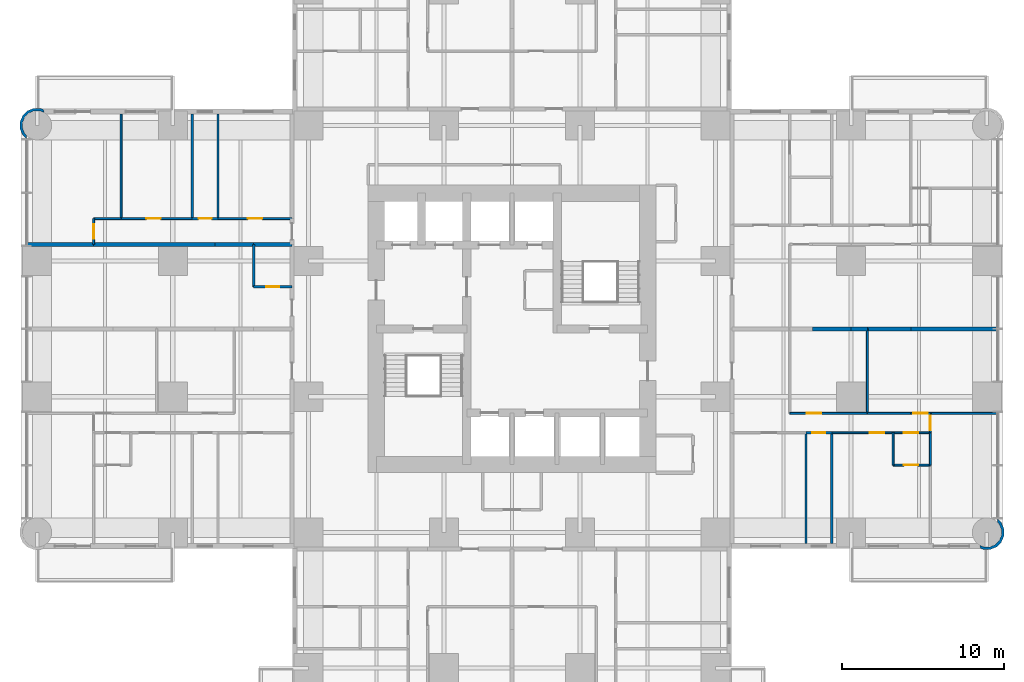
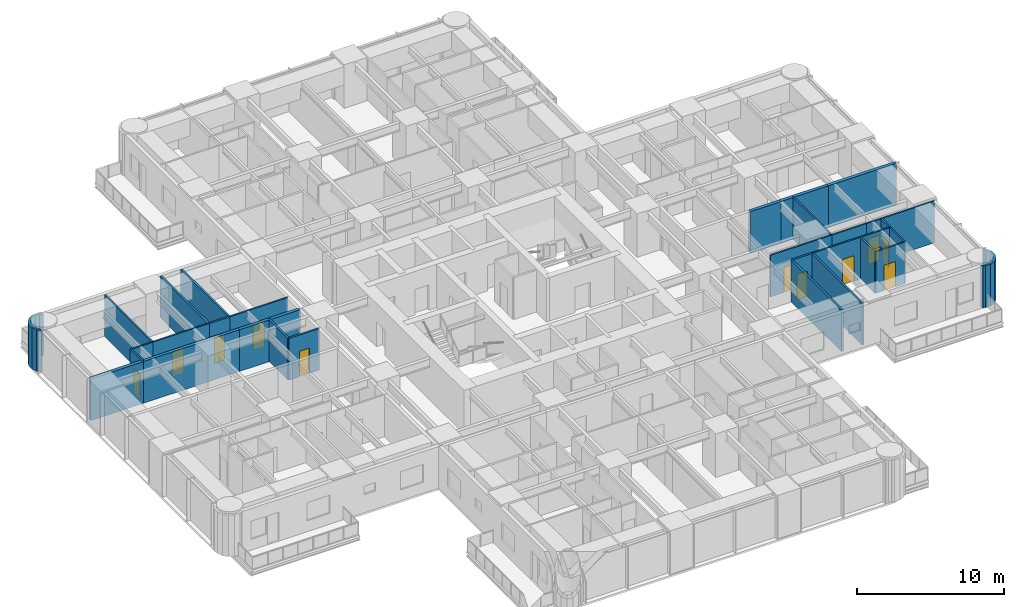
# One storey, part 11 of 17: 34 walls, 12 doors, 12 openings.
"""IFC4 building model written with IfcOpenShell, lengths in metres."""

from ifc_helpers import new_model, si_unit, direction, frame, frame_2d, origin, place, context, subcontext, project, spatial, polyline, rectangle, outline, extrude, material, layer, layer_set, type_object, element, fill, save


model = new_model("IFC4")

# Units and contexts
model_context = context("Model", 3, precision=1e-05, world=origin(), true_north=direction((0.0, 1.0)))
body_context = subcontext(model_context, "Body", "Model", "MODEL_VIEW")
ifc_project = project(units=[si_unit("LENGTHUNIT", "METRE"), si_unit("AREAUNIT", "SQUARE_METRE"), si_unit("VOLUMEUNIT", "CUBIC_METRE"), si_unit("PLANEANGLEUNIT", "RADIAN"), si_unit("MASSUNIT", "GRAM", prefix="KILO")], contexts=[model_context])

# Site, building, storey
site_placement = place(None, origin())
site = spatial("IfcSite", under=ifc_project, at=site_placement, CompositionType="ELEMENT")
building_placement = place(site_placement, origin())
building = spatial("IfcBuilding", under=site, at=building_placement, Name="Torre Alcanfor", CompositionType="ELEMENT")
storey_placement = place(building_placement, frame((0.0, 0.0, 45.300048828125)))
storey = spatial("IfcBuildingStorey", under=building, at=storey_placement, Name="L10", CompositionType="ELEMENT", Elevation=45.300048828125)

# Wall
ifc_material_1 = material(Name="Gypsum board on steel studs", Category="steel")
ifc_layer_1 = layer(ifc_material_1, 0.1201171875)
ifc_layer_set_1 = layer_set([ifc_layer_1], Name="Apartment partition 120")
wall_type_1 = type_object("IfcWallType", Name="Apartment partition 120", PredefinedType="PARTITIONING", material=ifc_layer_set_1)
wall_1_placement = place(storey_placement, frame((51.39990234375, 29.39990234375, 0.0), z_axis=(0.0, 0.0, 1.0), x_axis=(0.0, -1.0, 0.0)))
element("IfcWall", 1, at=wall_1_placement, inside=storey, type_object=wall_type_1, Name="Partition L10-E2-FAMILY / L10-E2-KITCHEN", PredefinedType="PARTITIONING", context=body_context, shape_type="SweptSolid", body=[
    extrude(rectangle(XDim=5.22900390625, YDim=0.1201171875, at=frame_2d((2.614501953125, 0.0))), origin(), (0.0, 0.0, 1.0), 3.449951171875),
])

# Wall, opening, door
wall_2_placement = place(storey_placement, frame((51.39990234375, 24.1708984375, 0.0), z_axis=(0.0, 0.0, 1.0), x_axis=(-1.0, 0.0, 0.0)))
wall_2 = element("IfcWall", 2, at=wall_2_placement, inside=storey, type_object=wall_type_1, Name="Partition L10-E2-FAMILY / L10-E2-HALL", PredefinedType="PARTITIONING", context=body_context, shape_type="SweptSolid", body=[
    extrude(rectangle(XDim=4.7998046875, YDim=0.1201171875, at=frame_2d((2.39990234375, 0.0))), origin(), (0.0, 0.0, 1.0), 3.449951171875),
])
opening_1_placement = place(wall_2_placement, frame((2.85009765625, 0.0, 0.0)))
opening_1 = element("IfcOpeningElement", 3, at=opening_1_placement, cuts=wall_2, Name="Opening D-R1", PredefinedType="OPENING", context=body_context, shape_type="SweptSolid", body=[
    extrude(rectangle(XDim=0.89990234375, YDim=2.10009765625, at=frame_2d((0.449951171875, 1.050048828125))), frame((0.0, 0.070068359375, 0.0), z_axis=(0.0, -1.0, 0.0), x_axis=(1.0, 0.0, 0.0)), (0.0, 0.0, 1.0), 0.14013671875),
])
ifc_material_2 = material(Name="Timber", Category="wood")
door_type_1 = type_object("IfcDoorType", Name="Internal door 900x2100", OperationType="SINGLE_SWING_LEFT", PredefinedType="DOOR", material=ifc_material_2)
door_1_placement = place(opening_1_placement, frame((0.89990234375, 0.0, 0.0), z_axis=(0.0, 0.0, 1.0), x_axis=(-1.0, 0.0, 0.0)))
door_1 = element("IfcDoor", 4, at=door_1_placement, inside=storey, type_object=door_type_1, Name="Door L10-E2 family", OperationType="SINGLE_SWING_LEFT", OverallHeight=2.10009765625, OverallWidth=0.89990234375, PredefinedType="DOOR", context=body_context, shape_type="SweptSolid", body=[
    extrude(rectangle(XDim=0.89990234375, YDim=2.10009765625, at=frame_2d((0.449951171875, 1.050048828125))), frame((0.0, 0.025146484375, 0.0), z_axis=(0.0, -1.0, 0.0), x_axis=(1.0, 0.0, 0.0)), (0.0, 0.0, 1.0), 0.050048828125),
])
fill(opening_1, door_1)

# Wall
wall_3_placement = place(storey_placement, frame((54.10009765625, 24.1708984375, 0.0), z_axis=(0.0, 0.0, 1.0), x_axis=(-1.0, 0.0, 0.0)))
element("IfcWall", 5, at=wall_3_placement, inside=storey, type_object=wall_type_1, Name="Partition L10-E2-KITCHEN / L10-E2-HALL", PredefinedType="PARTITIONING", context=body_context, shape_type="SweptSolid", body=[
    extrude(rectangle(XDim=2.7001953125, YDim=0.1201171875, at=frame_2d((1.35009765625, 0.0))), origin(), (0.0, 0.0, 1.0), 3.449951171875),
])

# Wall, opening, door
wall_4_placement = place(storey_placement, frame((55.300048828125, 24.1708984375, 0.0), z_axis=(0.0, 0.0, 1.0), x_axis=(-1.0, 0.0, 0.0)))
wall_4 = element("IfcWall", 6, at=wall_4_placement, inside=storey, type_object=wall_type_1, Name="Partition L10-E2-LIVING / L10-E2-HALL", PredefinedType="PARTITIONING", context=body_context, shape_type="SweptSolid", body=[
    extrude(rectangle(XDim=1.199951171875, YDim=0.1201171875, at=frame_2d((0.60009765625, 0.0))), origin(), (0.0, 0.0, 1.0), 3.449951171875),
])
opening_2_placement = place(wall_4_placement, frame((0.14990234375, 0.0, 0.0)))
opening_2 = element("IfcOpeningElement", 7, at=opening_2_placement, cuts=wall_4, Name="Opening D-R1", PredefinedType="OPENING", context=body_context, shape_type="SweptSolid", body=[
    extrude(rectangle(XDim=0.89990234375, YDim=2.10009765625, at=frame_2d((0.449951171875, 1.050048828125))), frame((0.0, 0.070068359375, 0.0), z_axis=(0.0, -1.0, 0.0), x_axis=(1.0, 0.0, 0.0)), (0.0, 0.0, 1.0), 0.14013671875),
])
door_2_placement = place(opening_2_placement, frame((0.89990234375, 0.0, 0.0), z_axis=(0.0, 0.0, 1.0), x_axis=(-1.0, 0.0, 0.0)))
door_2 = element("IfcDoor", 8, at=door_2_placement, inside=storey, type_object=door_type_1, Name="Door L10-E2 living", OperationType="SINGLE_SWING_LEFT", OverallHeight=2.10009765625, OverallWidth=0.89990234375, PredefinedType="DOOR", context=body_context, shape_type="SweptSolid", body=[
    extrude(rectangle(XDim=0.89990234375, YDim=2.10009765625, at=frame_2d((0.449951171875, 1.050048828125))), frame((0.0, 0.025146484375, 0.0), z_axis=(0.0, -1.0, 0.0), x_axis=(1.0, 0.0, 0.0)), (0.0, 0.0, 1.0), 0.050048828125),
])
fill(opening_2, door_2)

# Wall
wall_5_placement = place(storey_placement, frame((59.449951171875, 24.1708984375, 0.0), z_axis=(0.0, 0.0, 1.0), x_axis=(-1.0, 0.0, 0.0)))
element("IfcWall", 9, at=wall_5_placement, inside=storey, type_object=wall_type_1, Name="Partition L10-E2-LIVING / L10-E2-WGARD", PredefinedType="PARTITIONING", context=body_context, shape_type="SweptSolid", body=[
    extrude(rectangle(XDim=4.14990234375, YDim=0.1201171875, at=frame_2d((2.074951171875, 0.0))), origin(), (0.0, 0.0, 1.0), 3.449951171875),
])

# Wall, opening, door
wall_6_placement = place(storey_placement, frame((53.0, 22.970947265625, 0.0), z_axis=(0.0, 0.0, 1.0), x_axis=(-1.0, 0.0, 0.0)))
wall_6 = element("IfcWall", 10, at=wall_6_placement, inside=storey, type_object=wall_type_1, Name="Partition L10-E2-HALL / L10-E2-MASTER", PredefinedType="PARTITIONING", context=body_context, shape_type="SweptSolid", body=[
    extrude(rectangle(XDim=3.800048828125, YDim=0.1201171875, at=frame_2d((1.89990234375, 0.0))), origin(), (0.0, 0.0, 1.0), 3.449951171875),
])
opening_3_placement = place(wall_6_placement, frame((0.550048828125, 0.0, 0.0)))
opening_3 = element("IfcOpeningElement", 11, at=opening_3_placement, cuts=wall_6, Name="Opening D-R1", PredefinedType="OPENING", context=body_context, shape_type="SweptSolid", body=[
    extrude(rectangle(XDim=0.89990234375, YDim=2.10009765625, at=frame_2d((0.449951171875, 1.050048828125))), frame((0.0, 0.070068359375, 0.0), z_axis=(0.0, -1.0, 0.0), x_axis=(1.0, 0.0, 0.0)), (0.0, 0.0, 1.0), 0.14013671875),
])
door_3_placement = place(opening_3_placement, origin())
door_3 = element("IfcDoor", 12, at=door_3_placement, inside=storey, type_object=door_type_1, Name="Door L10-E2 master", OperationType="SINGLE_SWING_LEFT", OverallHeight=2.10009765625, OverallWidth=0.89990234375, PredefinedType="DOOR", context=body_context, shape_type="SweptSolid", body=[
    extrude(rectangle(XDim=0.89990234375, YDim=2.10009765625, at=frame_2d((0.449951171875, 1.050048828125))), frame((0.0, 0.02490234375, 0.0), z_axis=(0.0, -1.0, 0.0), x_axis=(1.0, 0.0, 0.0)), (0.0, 0.0, 1.0), 0.050048828125),
])
fill(opening_3, door_3)

wall_7_placement = place(storey_placement, frame((55.300048828125, 22.970947265625, 0.0), z_axis=(0.0, 0.0, 1.0), x_axis=(-1.0, 0.0, 0.0)))
wall_7 = element("IfcWall", 13, at=wall_7_placement, inside=storey, type_object=wall_type_1, Name="Partition L10-E2-HALL / L10-E2-VEST", PredefinedType="PARTITIONING", context=body_context, shape_type="SweptSolid", body=[
    extrude(rectangle(XDim=2.300048828125, YDim=0.1201171875, at=frame_2d((1.14990234375, 0.0))), origin(), (0.0, 0.0, 1.0), 3.449951171875),
])
opening_4_placement = place(wall_7_placement, frame((0.75, 0.0, 0.0)))
opening_4 = element("IfcOpeningElement", 14, at=opening_4_placement, cuts=wall_7, Name="Opening D-R1", PredefinedType="OPENING", context=body_context, shape_type="SweptSolid", body=[
    extrude(rectangle(XDim=0.89990234375, YDim=2.10009765625, at=frame_2d((0.449951171875, 1.050048828125))), frame((0.0, 0.070068359375, 0.0), z_axis=(0.0, -1.0, 0.0), x_axis=(1.0, 0.0, 0.0)), (0.0, 0.0, 1.0), 0.14013671875),
])
door_4_placement = place(opening_4_placement, origin())
door_4 = element("IfcDoor", 15, at=door_4_placement, inside=storey, type_object=door_type_1, Name="Door L10-E2 vest", OperationType="SINGLE_SWING_RIGHT", OverallHeight=2.10009765625, OverallWidth=0.89990234375, PredefinedType="DOOR", context=body_context, shape_type="SweptSolid", body=[
    extrude(rectangle(XDim=0.89990234375, YDim=2.10009765625, at=frame_2d((0.449951171875, 1.050048828125))), frame((0.0, 0.02490234375, 0.0), z_axis=(0.0, -1.0, 0.0), x_axis=(1.0, 0.0, 0.0)), (0.0, 0.0, 1.0), 0.050048828125),
])
fill(opening_4, door_4)

wall_8_placement = place(storey_placement, frame((55.300048828125, 24.1708984375, 0.0), z_axis=(0.0, 0.0, 1.0), x_axis=(0.0, -1.0, 0.0)))
wall_8 = element("IfcWall", 16, at=wall_8_placement, inside=storey, type_object=wall_type_1, Name="Partition L10-E2-HALL / L10-E2-WGARD", PredefinedType="PARTITIONING", context=body_context, shape_type="SweptSolid", body=[
    extrude(rectangle(XDim=1.199951171875, YDim=0.1201171875, at=frame_2d((0.60009765625, 0.0))), origin(), (0.0, 0.0, 1.0), 3.449951171875),
])
opening_5_placement = place(wall_8_placement, frame((0.15087890625, 0.0, 0.0)))
opening_5 = element("IfcOpeningElement", 17, at=opening_5_placement, cuts=wall_8, Name="Opening D-R1", PredefinedType="OPENING", context=body_context, shape_type="SweptSolid", body=[
    extrude(rectangle(XDim=0.89990234375, YDim=2.10009765625, at=frame_2d((0.449951171875, 1.050048828125))), frame((0.0, 0.070068359375, 0.0), z_axis=(0.0, -1.0, 0.0), x_axis=(1.0, 0.0, 0.0)), (0.0, 0.0, 1.0), 0.14013671875),
])
door_5_placement = place(opening_5_placement, origin())
door_5 = element("IfcDoor", 18, at=door_5_placement, inside=storey, type_object=door_type_1, Name="Door L10-E2 wgard", OperationType="SINGLE_SWING_LEFT", OverallHeight=2.10009765625, OverallWidth=0.89990234375, PredefinedType="DOOR", context=body_context, shape_type="SweptSolid", body=[
    extrude(rectangle(XDim=0.89990234375, YDim=2.10009765625, at=frame_2d((0.449951171875, 1.050048828125))), frame((0.0, 0.02490234375, 0.0), z_axis=(0.0, -1.0, 0.0), x_axis=(1.0, 0.0, 0.0)), (0.0, 0.0, 1.0), 0.050048828125),
])
fill(opening_5, door_5)

# Wall
wall_9_placement = place(storey_placement, frame((53.0, 22.970947265625, 0.0), z_axis=(0.0, 0.0, 1.0), x_axis=(0.0, -1.0, 0.0)))
element("IfcWall", 19, at=wall_9_placement, inside=storey, type_object=wall_type_1, Name="Partition L10-E2-MASTER / L10-E2-VEST", PredefinedType="PARTITIONING", context=body_context, shape_type="SweptSolid", body=[
    extrude(rectangle(XDim=2.0, YDim=0.1201171875, at=frame_2d((1.0, 0.0))), origin(), (0.0, 0.0, 1.0), 3.449951171875),
])

# Wall, opening, door
wall_10_placement = place(storey_placement, frame((53.0, 20.970947265625, 0.0), z_axis=(0.0, 0.0, 1.0), x_axis=(1.0, 0.0, 0.0)))
wall_10 = element("IfcWall", 20, at=wall_10_placement, inside=storey, type_object=wall_type_1, Name="Partition L10-E2-MASTER / L10-E2-VEST", PredefinedType="PARTITIONING", context=body_context, shape_type="SweptSolid", body=[
    extrude(rectangle(XDim=2.300048828125, YDim=0.1201171875, at=frame_2d((1.14990234375, 0.0))), origin(), (0.0, 0.0, 1.0), 3.449951171875),
])
opening_6_placement = place(wall_10_placement, frame((0.64990234375, 0.0, 0.0)))
opening_6 = element("IfcOpeningElement", 21, at=opening_6_placement, cuts=wall_10, Name="Opening D-R1", PredefinedType="OPENING", context=body_context, shape_type="SweptSolid", body=[
    extrude(rectangle(XDim=0.89990234375, YDim=2.10009765625, at=frame_2d((0.449951171875, 1.050048828125))), frame((0.0, 0.070068359375, 0.0), z_axis=(0.0, -1.0, 0.0), x_axis=(1.0, 0.0, 0.0)), (0.0, 0.0, 1.0), 0.14013671875),
])
door_6_placement = place(opening_6_placement, origin())
door_6 = element("IfcDoor", 22, at=door_6_placement, inside=storey, type_object=door_type_1, Name="Door L10-E2 master", OperationType="SINGLE_SWING_LEFT", OverallHeight=2.10009765625, OverallWidth=0.89990234375, PredefinedType="DOOR", context=body_context, shape_type="SweptSolid", body=[
    extrude(rectangle(XDim=0.89990234375, YDim=2.10009765625, at=frame_2d((0.449951171875, 1.050048828125))), frame((0.0, 0.02490234375, 0.0), z_axis=(0.0, -1.0, 0.0), x_axis=(1.0, 0.0, 0.0)), (0.0, 0.0, 1.0), 0.050048828125),
])
fill(opening_6, door_6)

# Wall
wall_11_placement = place(storey_placement, frame((55.300048828125, 22.970947265625, 0.0), z_axis=(0.0, 0.0, 1.0), x_axis=(0.0, -1.0, 0.0)))
element("IfcWall", 23, at=wall_11_placement, inside=storey, type_object=wall_type_1, Name="Partition L10-E2-VEST / L10-E2-WGARD", PredefinedType="PARTITIONING", context=body_context, shape_type="SweptSolid", body=[
    extrude(rectangle(XDim=2.0, YDim=0.1201171875, at=frame_2d((1.0, 0.0))), origin(), (0.0, 0.0, 1.0), 3.449951171875),
])

# Wall, opening, door
wall_12_placement = place(storey_placement, frame((11.199951171875, 36.22900390625, 0.0), z_axis=(0.0, 0.0, 1.0), x_axis=(1.0, 0.0, 0.0)))
wall_12 = element("IfcWall", 24, at=wall_12_placement, inside=storey, type_object=wall_type_1, Name="Partition L10-W2B-HALL / L10-W2B-MASTER", PredefinedType="PARTITIONING", context=body_context, shape_type="SweptSolid", body=[
    extrude(rectangle(XDim=4.574951171875, YDim=0.1201171875, at=frame_2d((2.28759765625, 0.0))), origin(), (0.0, 0.0, 1.0), 3.449951171875),
])
opening_7_placement = place(wall_12_placement, frame((1.85009765625, 0.0, 0.0)))
opening_7 = element("IfcOpeningElement", 25, at=opening_7_placement, cuts=wall_12, Name="Opening D-R1", PredefinedType="OPENING", context=body_context, shape_type="SweptSolid", body=[
    extrude(rectangle(XDim=0.89990234375, YDim=2.10009765625, at=frame_2d((0.449951171875, 1.050048828125))), frame((0.0, 0.070068359375, 0.0), z_axis=(0.0, -1.0, 0.0), x_axis=(1.0, 0.0, 0.0)), (0.0, 0.0, 1.0), 0.14013671875),
])
door_7_placement = place(opening_7_placement, origin())
door_7 = element("IfcDoor", 26, at=door_7_placement, inside=storey, type_object=door_type_1, Name="Door L10-W2B master", OperationType="SINGLE_SWING_RIGHT", OverallHeight=2.10009765625, OverallWidth=0.89990234375, PredefinedType="DOOR", context=body_context, shape_type="SweptSolid", body=[
    extrude(rectangle(XDim=0.89990234375, YDim=2.10009765625, at=frame_2d((0.449951171875, 1.050048828125))), frame((0.0, 0.02490234375, 0.0), z_axis=(0.0, -1.0, 0.0), x_axis=(1.0, 0.0, 0.0)), (0.0, 0.0, 1.0), 0.050048828125),
])
fill(opening_7, door_7)

wall_13_placement = place(storey_placement, frame((5.199951171875, 36.22900390625, 0.0), z_axis=(0.0, 0.0, 1.0), x_axis=(1.0, 0.0, 0.0)))
wall_13 = element("IfcWall", 27, at=wall_13_placement, inside=storey, type_object=wall_type_1, Name="Partition L10-W2B-HALL / L10-W2B-STUDY", PredefinedType="PARTITIONING", context=body_context, shape_type="SweptSolid", body=[
    extrude(rectangle(XDim=4.400146484375, YDim=0.1201171875, at=frame_2d((2.2001953125, 0.0))), origin(), (0.0, 0.0, 1.0), 3.449951171875),
])
opening_8_placement = place(wall_13_placement, frame((1.550048828125, 0.0, 0.0)))
opening_8 = element("IfcOpeningElement", 28, at=opening_8_placement, cuts=wall_13, Name="Opening D-R1", PredefinedType="OPENING", context=body_context, shape_type="SweptSolid", body=[
    extrude(rectangle(XDim=0.89990234375, YDim=2.10009765625, at=frame_2d((0.449951171875, 1.050048828125))), frame((0.0, 0.070068359375, 0.0), z_axis=(0.0, -1.0, 0.0), x_axis=(1.0, 0.0, 0.0)), (0.0, 0.0, 1.0), 0.14013671875),
])
door_8_placement = place(opening_8_placement, origin())
door_8 = element("IfcDoor", 29, at=door_8_placement, inside=storey, type_object=door_type_1, Name="Door L10-W2B study", OperationType="SINGLE_SWING_LEFT", OverallHeight=2.10009765625, OverallWidth=0.89990234375, PredefinedType="DOOR", context=body_context, shape_type="SweptSolid", body=[
    extrude(rectangle(XDim=0.89990234375, YDim=2.10009765625, at=frame_2d((0.449951171875, 1.050048828125))), frame((0.0, 0.02490234375, 0.0), z_axis=(0.0, -1.0, 0.0), x_axis=(1.0, 0.0, 0.0)), (0.0, 0.0, 1.0), 0.050048828125),
])
fill(opening_8, door_8)

# Wall
wall_14_placement = place(storey_placement, frame((3.5, 36.22900390625, 0.0), z_axis=(0.0, 0.0, 1.0), x_axis=(1.0, 0.0, 0.0)))
element("IfcWall", 30, at=wall_14_placement, inside=storey, type_object=wall_type_1, Name="Partition L10-W2B-HALL / L10-W2B-KITCHEN", PredefinedType="PARTITIONING", context=body_context, shape_type="SweptSolid", body=[
    extrude(rectangle(XDim=1.699951171875, YDim=0.1201171875, at=frame_2d((0.85009765625, 0.0))), origin(), (0.0, 0.0, 1.0), 3.449951171875),
])

# Wall, opening, door
wall_15_placement = place(storey_placement, frame((3.5, 34.62890625, 0.0), z_axis=(0.0, 0.0, 1.0), x_axis=(0.0, 1.0, 0.0)))
wall_15 = element("IfcWall", 31, at=wall_15_placement, inside=storey, type_object=wall_type_1, Name="Partition L10-W2B-HALL / L10-W2B-LIVING", PredefinedType="PARTITIONING", context=body_context, shape_type="SweptSolid", body=[
    extrude(rectangle(XDim=1.60009765625, YDim=0.1201171875, at=frame_2d((0.800048828125, 0.0))), origin(), (0.0, 0.0, 1.0), 3.449951171875),
])
opening_9_placement = place(wall_15_placement, frame((0.35009765625, 0.0, 0.0)))
opening_9 = element("IfcOpeningElement", 32, at=opening_9_placement, cuts=wall_15, Name="Opening D-R1", PredefinedType="OPENING", context=body_context, shape_type="SweptSolid", body=[
    extrude(rectangle(XDim=0.89990234375, YDim=2.10009765625, at=frame_2d((0.449951171875, 1.050048828125))), frame((0.0, 0.070068359375, 0.0), z_axis=(0.0, -1.0, 0.0), x_axis=(1.0, 0.0, 0.0)), (0.0, 0.0, 1.0), 0.14013671875),
])
door_9_placement = place(opening_9_placement, origin())
door_9 = element("IfcDoor", 33, at=door_9_placement, inside=storey, type_object=door_type_1, Name="Door L10-W2B living", OperationType="SINGLE_SWING_LEFT", OverallHeight=2.10009765625, OverallWidth=0.89990234375, PredefinedType="DOOR", context=body_context, shape_type="SweptSolid", body=[
    extrude(rectangle(XDim=0.89990234375, YDim=2.10009765625, at=frame_2d((0.449951171875, 1.050048828125))), frame((0.0, 0.02490234375, 0.0), z_axis=(0.0, -1.0, 0.0), x_axis=(1.0, 0.0, 0.0)), (0.0, 0.0, 1.0), 0.050048828125),
])
fill(opening_9, door_9)

# Walls
wall_16_placement = place(storey_placement, frame((5.199951171875, 36.22900390625, 0.0), z_axis=(0.0, 0.0, 1.0), x_axis=(0.0, 1.0, 0.0)))
element("IfcWall", 34, at=wall_16_placement, inside=storey, type_object=wall_type_1, Name="Partition L10-W2B-STUDY / L10-W2B-KITCHEN", PredefinedType="PARTITIONING", context=body_context, shape_type="SweptSolid", body=[
    extrude(rectangle(XDim=6.470947265625, YDim=0.1201171875, at=frame_2d((3.2353515625, 0.0))), origin(), (0.0, 0.0, 1.0), 3.449951171875),
])
ifc_material_3 = material(Name="Concrete block masonry, hollow blocks NMX-C-404 9 MPa", Category="masonry")
ifc_layer_2 = layer(ifc_material_3, 0.25)
ifc_layer_set_2 = layer_set([ifc_layer_2], Name="Party wall 250 EI 60")
wall_type_2 = type_object("IfcWallType", Name="Party wall 250 EI 60", PredefinedType="PARTITIONING", material=ifc_layer_set_2)
wall_17_placement = place(storey_placement, frame((48.0, 29.39990234375, 0.0), z_axis=(0.0, 0.0, 1.0), x_axis=(1.0, 0.0, 0.0)))
element("IfcWall", 35, at=wall_17_placement, inside=storey, type_object=wall_type_2, Name="Partition L10-E1-KITCHEN / L10-E2-FAMILY", PredefinedType="PARTITIONING", context=body_context, shape_type="SweptSolid", body=[
    extrude(rectangle(XDim=2.39990234375, YDim=0.25, at=frame_2d((1.199951171875, 0.0))), origin(), (0.0, 0.0, 1.0), 3.449951171875),
])
wall_18_placement = place(storey_placement, frame((50.39990234375, 29.39990234375, 0.0), z_axis=(0.0, 0.0, 1.0), x_axis=(1.0, 0.0, 0.0)))
element("IfcWall", 36, at=wall_18_placement, inside=storey, type_object=wall_type_2, Name="Partition L10-E1-LIVING / L10-E2-FAMILY", PredefinedType="PARTITIONING", context=body_context, shape_type="SweptSolid", body=[
    extrude(rectangle(XDim=1.0, YDim=0.25, at=frame_2d((0.5, 0.0))), origin(), (0.0, 0.0, 1.0), 3.449951171875),
])
wall_19_placement = place(storey_placement, frame((51.39990234375, 29.39990234375, 0.0), z_axis=(0.0, 0.0, 1.0), x_axis=(1.0, 0.0, 0.0)))
element("IfcWall", 37, at=wall_19_placement, inside=storey, type_object=wall_type_2, Name="Partition L10-E1-LIVING / L10-E2-KITCHEN", PredefinedType="PARTITIONING", context=body_context, shape_type="SweptSolid", body=[
    extrude(rectangle(XDim=2.7001953125, YDim=0.25, at=frame_2d((1.35009765625, 0.0))), origin(), (0.0, 0.0, 1.0), 3.449951171875),
])
wall_20_placement = place(storey_placement, frame((54.10009765625, 29.39990234375, 0.0), z_axis=(0.0, 0.0, 1.0), x_axis=(1.0, 0.0, 0.0)))
element("IfcWall", 38, at=wall_20_placement, inside=storey, type_object=wall_type_2, Name="Partition L10-E1-LIVING / L10-E2-LIVING", PredefinedType="PARTITIONING", context=body_context, shape_type="SweptSolid", body=[
    extrude(rectangle(XDim=5.349853515625, YDim=0.25, at=frame_2d((2.6748046875, 0.0))), origin(), (0.0, 0.0, 1.0), 3.449951171875),
])
wall_21_placement = place(storey_placement, frame((13.39990234375, 34.62890625, 0.0), z_axis=(0.0, 0.0, 1.0), x_axis=(1.0, 0.0, 0.0)))
element("IfcWall", 39, at=wall_21_placement, inside=storey, type_object=wall_type_2, Name="Partition L10-W2A-BATH / L10-W2B-HALL", PredefinedType="PARTITIONING", context=body_context, shape_type="SweptSolid", body=[
    extrude(rectangle(XDim=2.375, YDim=0.25, at=frame_2d((1.1875, 0.0))), origin(), (0.0, 0.0, 1.0), 3.449951171875),
])
wall_22_placement = place(storey_placement, frame((11.0, 34.62890625, 0.0), z_axis=(0.0, 0.0, 1.0), x_axis=(1.0, 0.0, 0.0)))
element("IfcWall", 40, at=wall_22_placement, inside=storey, type_object=wall_type_2, Name="Partition L10-W2A-KITCHEN / L10-W2B-HALL", PredefinedType="PARTITIONING", context=body_context, shape_type="SweptSolid", body=[
    extrude(rectangle(XDim=2.39990234375, YDim=0.25, at=frame_2d((1.199951171875, 0.0))), origin(), (0.0, 0.0, 1.0), 3.449951171875),
])
wall_23_placement = place(storey_placement, frame((3.5, 34.62890625, 0.0), z_axis=(0.0, 0.0, 1.0), x_axis=(1.0, 0.0, 0.0)))
element("IfcWall", 41, at=wall_23_placement, inside=storey, type_object=wall_type_2, Name="Partition L10-W2A-STUDIO / L10-W2B-HALL", PredefinedType="PARTITIONING", context=body_context, shape_type="SweptSolid", body=[
    extrude(rectangle(XDim=7.5, YDim=0.25, at=frame_2d((3.75, 0.0))), origin(), (0.0, 0.0, 1.0), 3.449951171875),
])
wall_24_placement = place(storey_placement, frame((-0.64990234375, 34.62890625, 0.0), z_axis=(0.0, 0.0, 1.0), x_axis=(1.0, 0.0, 0.0)))
element("IfcWall", 42, at=wall_24_placement, inside=storey, type_object=wall_type_2, Name="Partition L10-W2A-STUDIO / L10-W2B-LIVING", PredefinedType="PARTITIONING", context=body_context, shape_type="SweptSolid", body=[
    extrude(rectangle(XDim=4.14990234375, YDim=0.25, at=frame_2d((2.074951171875, 0.0))), origin(), (0.0, 0.0, 1.0), 3.449951171875),
])
ifc_material_4 = material(Name="Limestone cladding", Category="masonry")
ifc_layer_3 = layer(ifc_material_4, 0.0400390625, Name="Facing")
ifc_material_5 = material(Name="Ventilated air cavity")
ifc_layer_4 = layer(ifc_material_5, 0.02001953125, ventilated=True, Name="Ventilated joint")
ifc_material_6 = material(Name="Mineral wool insulation", Category="insulation")
ifc_layer_5 = layer(ifc_material_6, 0.10009765625, Name="Insulation")
ifc_material_7 = material(Name="Concrete f'c 35 MPa", Category="concrete")
ifc_layer_6 = layer(ifc_material_7, 0.139892578125, Name="Backing")
ifc_layer_set_3 = layer_set([ifc_layer_3, ifc_layer_4, ifc_layer_5, ifc_layer_6], Name="Rounded corner pier stone-clad 300")
wall_type_3 = type_object("IfcWallType", Name="Rounded corner pier stone-clad 300", PredefinedType="SOLIDWALL", material=ifc_layer_set_3)
wall_25_placement = place(storey_placement, frame((0.363962863, 42.909907157, 0.0), z_axis=(0.0, 0.0, 1.0), x_axis=(-0.926129809145, 0.377204953059, 0.0)))
element("IfcWall", 43, at=wall_25_placement, inside=storey, type_object=wall_type_3, Name="Corner pier L10 13", PredefinedType="SOLIDWALL", context=body_context, shape_type="SweptSolid", body=[
    extrude(outline(polyline([(0.36027248147905344, 1.8032799323574271), (0.5087783723473315, 1.740921099842025), (0.7605913470133172, 1.4857584601095954), (0.8957810128069955, 1.1538349835897281), (0.8939031559639274, 0.7953461823991875), (0.7547957339381889, 0.4650577343600455), (0.4996330942057594, 0.21324475969405968), (0.1677096176858921, 0.07805509390038129), (-0.09992182078970525, 0.07950523369113624), (0.0006988421670046999, -0.09699421764222865), (0.0300177129428464, -0.08030783699434613), (0.19858532179107968, -0.08124570553990346), (0.5888441232034033, 0.0777034519259609), (0.8888369702307105, 0.374136779300854), (1.052603126025944, 0.7629734686109036), (1.0550818122472803, 1.1847106876949156), (0.8961326547814159, 1.5749694891072394), (0.7776866026168303, 1.6949130219751851), (0.7691400347446393, 1.7275471706587737), (0.7502646662372825, 1.7227591424871238), (0.599699327406523, 1.8749623361345464), (0.2945484394782597, 2.0034825844222954), (0.2809820848521072, 1.9979571212427172), (0.36027248147905344, 1.8032799323574271)])), origin(), (0.0, 0.0, 1.0), 3.449951171875),
])
wall_26_placement = place(storey_placement, frame((58.436037137, 15.890092843, 0.0), z_axis=(0.0, 0.0, 1.0), x_axis=(0.926129809145, -0.377204953059, 0.0)))
element("IfcWall", 44, at=wall_26_placement, inside=storey, type_object=wall_type_3, Name="Corner pier L10 17", PredefinedType="SOLIDWALL", context=body_context, shape_type="SweptSolid", body=[
    extrude(outline(polyline([(0.769166837716128, 1.7276108100514604), (0.7500653632983351, 1.7227306908268178), (0.5995000244675756, 1.8749338844742405), (0.2945752424497483, 2.003546223814982), (0.2810088878235957, 1.9980207606354041), (0.36029928445054193, 1.803343571750114), (0.5086711604613772, 1.740666542271283), (0.7606181499848057, 1.4858220995022824), (0.8958078157784841, 1.153898622982415), (0.8937038530249802, 0.7953177307388815), (0.7545964309992416, 0.4650292826997394), (0.49975198823024103, 0.21308229317631072), (0.16782851171037358, 0.07789262738263233), (-0.0998950178182167, 0.07956887308382314), (0.0004995392280573718, -0.09702266930253471), (0.03004451591433495, -0.08024419760165923), (0.19838601885213236, -0.08127415720020953), (0.5888709261748919, 0.07776709131864781), (0.888863773202199, 0.37420041869354087), (1.0524038230869968, 0.7629450169505976), (1.0552007062717619, 1.1845482211771667), (0.8961594577529046, 1.5750331284999262), (0.777713405588319, 1.694976661367872), (0.769166837716128, 1.7276108100514604)])), origin(), (0.0, 0.0, 1.0), 3.449951171875),
])

# Wall, opening, door
ifc_material_8 = material(Name="Cement board on steel studs", Category="steel")
ifc_layer_7 = layer(ifc_material_8, 0.14990234375)
ifc_layer_set_4 = layer_set([ifc_layer_7], Name="Wet area partition 150")
wall_type_4 = type_object("IfcWallType", Name="Wet area partition 150", PredefinedType="PARTITIONING", material=ifc_layer_set_4)
wall_27_placement = place(storey_placement, frame((49.199951171875, 22.970947265625, 0.0), z_axis=(0.0, 0.0, 1.0), x_axis=(-1.0, 0.0, 0.0)))
wall_27 = element("IfcWall", 45, at=wall_27_placement, inside=storey, type_object=wall_type_4, Name="Partition L10-E2-HALL / L10-E2-BATH1", PredefinedType="PARTITIONING", context=body_context, shape_type="SweptSolid", body=[
    extrude(rectangle(XDim=1.599853515625, YDim=0.14990234375, at=frame_2d((0.7998046875, 0.0))), origin(), (0.0, 0.0, 1.0), 3.449951171875),
])
opening_10_placement = place(wall_27_placement, frame((0.39990234375, 0.0, 0.0)))
opening_10 = element("IfcOpeningElement", 46, at=opening_10_placement, cuts=wall_27, Name="Opening D-R2", PredefinedType="OPENING", context=body_context, shape_type="SweptSolid", body=[
    extrude(rectangle(XDim=0.800048828125, YDim=2.10009765625, at=frame_2d((0.39990234375, 1.050048828125))), frame((0.0, 0.0849609375, 0.0), z_axis=(0.0, -1.0, 0.0), x_axis=(1.0, 0.0, 0.0)), (0.0, 0.0, 1.0), 0.169921875),
])
ifc_material_9 = material(Name="Timber", Category="wood")
door_type_2 = type_object("IfcDoorType", Name="Bathroom door 800x2100", OperationType="SINGLE_SWING_LEFT", PredefinedType="DOOR", material=ifc_material_9)
door_10_placement = place(opening_10_placement, origin())
door_10 = element("IfcDoor", 47, at=door_10_placement, inside=storey, type_object=door_type_2, Name="Door L10-E2 bath1", OperationType="SINGLE_SWING_LEFT", OverallHeight=2.10009765625, OverallWidth=0.800048828125, PredefinedType="DOOR", context=body_context, shape_type="SweptSolid", body=[
    extrude(rectangle(XDim=0.800048828125, YDim=2.10009765625, at=frame_2d((0.39990234375, 1.050048828125))), frame((0.0, 0.02490234375, 0.0), z_axis=(0.0, -1.0, 0.0), x_axis=(1.0, 0.0, 0.0)), (0.0, 0.0, 1.0), 0.050048828125),
])
fill(opening_10, door_10)

# Walls
for number, where, z_axis, x_axis, name in (
    (48, (47.60009765625, 22.970947265625, 0.0), (0.0, 0.0, 1.0), (0.0, -1.0, 0.0), "Partition L10-E2-BED2 / L10-E2-BATH1"),
    (49, (49.199951171875, 22.970947265625, 0.0), (0.0, 0.0, 1.0), (0.0, -1.0, 0.0), "Partition L10-E2-BATH1 / L10-E2-MASTER"),
):
    element("IfcWall", number, at=place(storey_placement, frame(where, z_axis=z_axis, x_axis=x_axis)), inside=storey, type_object=wall_type_4, Name=name, PredefinedType="PARTITIONING", context=body_context, shape_type="SweptSolid", body=[
        extrude(rectangle(XDim=6.870849609375, YDim=0.14990234375, at=frame_2d((3.435546875, 0.0))), origin(), (0.0, 0.0, 1.0), 3.449951171875),
    ])

# Wall, opening, door
wall_28_placement = place(storey_placement, frame((13.39990234375, 32.0, 0.0), z_axis=(0.0, 0.0, 1.0), x_axis=(1.0, 0.0, 0.0)))
wall_28 = element("IfcWall", 50, at=wall_28_placement, inside=storey, type_object=wall_type_4, Name="Partition L10-W2A-FOYER / L10-W2A-BATH", PredefinedType="PARTITIONING", context=body_context, shape_type="SweptSolid", body=[
    extrude(rectangle(XDim=2.375, YDim=0.14990234375, at=frame_2d((1.1875, 0.0))), origin(), (0.0, 0.0, 1.0), 3.449951171875),
])
opening_11_placement = place(wall_28_placement, frame((0.800048828125, 0.0, 0.0)))
opening_11 = element("IfcOpeningElement", 51, at=opening_11_placement, cuts=wall_28, Name="Opening D-R2", PredefinedType="OPENING", context=body_context, shape_type="SweptSolid", body=[
    extrude(rectangle(XDim=0.800048828125, YDim=2.10009765625, at=frame_2d((0.39990234375, 1.050048828125))), frame((0.0, 0.0849609375, 0.0), z_axis=(0.0, -1.0, 0.0), x_axis=(1.0, 0.0, 0.0)), (0.0, 0.0, 1.0), 0.169921875),
])
door_11_placement = place(opening_11_placement, origin())
door_11 = element("IfcDoor", 52, at=door_11_placement, inside=storey, type_object=door_type_2, Name="Door L10-W2A bath", OperationType="SINGLE_SWING_RIGHT", OverallHeight=2.10009765625, OverallWidth=0.800048828125, PredefinedType="DOOR", context=body_context, shape_type="SweptSolid", body=[
    extrude(rectangle(XDim=0.800048828125, YDim=2.10009765625, at=frame_2d((0.39990234375, 1.050048828125))), frame((0.0, 0.02490234375, 0.0), z_axis=(0.0, -1.0, 0.0), x_axis=(1.0, 0.0, 0.0)), (0.0, 0.0, 1.0), 0.050048828125),
])
fill(opening_11, door_11)

# Wall
wall_29_placement = place(storey_placement, frame((13.39990234375, 32.0, 0.0), z_axis=(0.0, 0.0, 1.0), x_axis=(0.0, 1.0, 0.0)))
element("IfcWall", 53, at=wall_29_placement, inside=storey, type_object=wall_type_4, Name="Partition L10-W2A-BATH / L10-W2A-KITCHEN", PredefinedType="PARTITIONING", context=body_context, shape_type="SweptSolid", body=[
    extrude(rectangle(XDim=2.62890625, YDim=0.14990234375, at=frame_2d((1.314453125, 0.0))), origin(), (0.0, 0.0, 1.0), 3.449951171875),
])

# Wall, opening, door
wall_30_placement = place(storey_placement, frame((9.60009765625, 36.22900390625, 0.0), z_axis=(0.0, 0.0, 1.0), x_axis=(1.0, 0.0, 0.0)))
wall_30 = element("IfcWall", 54, at=wall_30_placement, inside=storey, type_object=wall_type_4, Name="Partition L10-W2B-HALL / L10-W2B-BATH", PredefinedType="PARTITIONING", context=body_context, shape_type="SweptSolid", body=[
    extrude(rectangle(XDim=1.599853515625, YDim=0.14990234375, at=frame_2d((0.7998046875, 0.0))), origin(), (0.0, 0.0, 1.0), 3.449951171875),
])
opening_12_placement = place(wall_30_placement, frame((0.39990234375, 0.0, 0.0)))
opening_12 = element("IfcOpeningElement", 55, at=opening_12_placement, cuts=wall_30, Name="Opening D-R2", PredefinedType="OPENING", context=body_context, shape_type="SweptSolid", body=[
    extrude(rectangle(XDim=0.800048828125, YDim=2.10009765625, at=frame_2d((0.39990234375, 1.050048828125))), frame((0.0, 0.0849609375, 0.0), z_axis=(0.0, -1.0, 0.0), x_axis=(1.0, 0.0, 0.0)), (0.0, 0.0, 1.0), 0.169921875),
])
door_12_placement = place(opening_12_placement, origin())
door_12 = element("IfcDoor", 56, at=door_12_placement, inside=storey, type_object=door_type_2, Name="Door L10-W2B bath", OperationType="SINGLE_SWING_LEFT", OverallHeight=2.10009765625, OverallWidth=0.800048828125, PredefinedType="DOOR", context=body_context, shape_type="SweptSolid", body=[
    extrude(rectangle(XDim=0.800048828125, YDim=2.10009765625, at=frame_2d((0.39990234375, 1.050048828125))), frame((0.0, 0.02490234375, 0.0), z_axis=(0.0, -1.0, 0.0), x_axis=(1.0, 0.0, 0.0)), (0.0, 0.0, 1.0), 0.050048828125),
])
fill(opening_12, door_12)

# Walls
for number, where, z_axis, x_axis, name in (
    (57, (11.199951171875, 36.22900390625, 0.0), (0.0, 0.0, 1.0), (0.0, 1.0, 0.0), "Partition L10-W2B-MASTER / L10-W2B-BATH"),
    (58, (9.60009765625, 36.22900390625, 0.0), (0.0, 0.0, 1.0), (0.0, 1.0, 0.0), "Partition L10-W2B-BATH / L10-W2B-STUDY"),
):
    element("IfcWall", number, at=place(storey_placement, frame(where, z_axis=z_axis, x_axis=x_axis)), inside=storey, type_object=wall_type_4, Name=name, PredefinedType="PARTITIONING", context=body_context, shape_type="SweptSolid", body=[
        extrude(rectangle(XDim=6.470947265625, YDim=0.14990234375, at=frame_2d((3.2353515625, 0.0))), origin(), (0.0, 0.0, 1.0), 3.449951171875),
    ])

save(model, "model.ifc")
